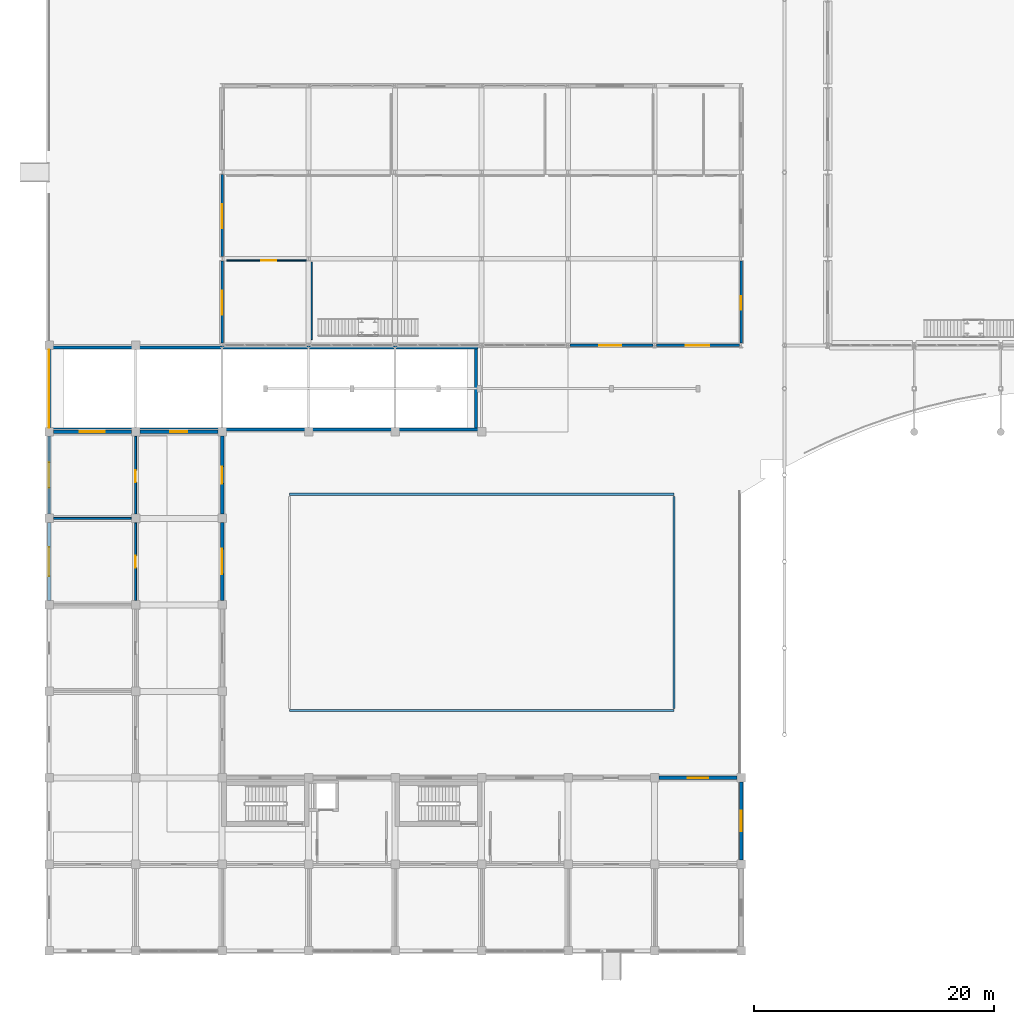
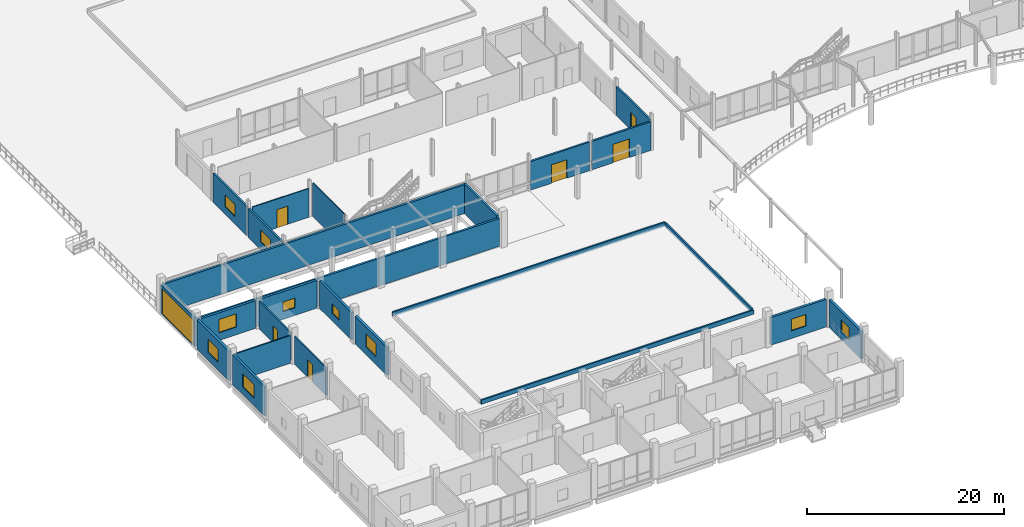
# One storey, part 112 of 139: 25 walls, 10 windows, 7 doors, 17 openings.
"""IFC4 building model written with IfcOpenShell, lengths in metres."""

import ifcopenshell
import ifcopenshell.guid

model = None  # the IFC model being written
_history = None  # IfcOwnerHistory: only IFC2X3 demands one
_inside = {}  # id of a spatial element -> (the spatial element, [elements in it])
_under = {}  # id of a project, library or spatial element -> (it, [spatial elements below it])
_declared = {}  # id of a project -> (the project, [libraries it declares])
_typed = {}  # id of a type object -> (the type object, [elements of that type])
_made_of = {}  # id of a material, layer set ... -> (it, [elements and type objects made of it])


def new_model(schema):
    """Start an empty IFC model of exactly this schema.

    Asked for "IFC4X3", IfcOpenShell would pick the latest addendum, in which some entities
    have other attributes; the version numbers below select the first issue.
    IFC2X3 requires an IfcOwnerHistory on every rooted entity: one is made here for all.
    """
    global model, _history
    if schema == "IFC4X3":
        model = ifcopenshell.file(schema_version=(4, 3, 0, 0))
    else:
        model = ifcopenshell.file(schema=schema)
    _inside.clear()
    _under.clear()
    _declared.clear()
    _typed.clear()
    _made_of.clear()
    _history = None
    if model.schema == "IFC2X3":
        org = make("IfcOrganization", Name="unknown")
        user = make(
            "IfcPersonAndOrganization",
            ThePerson=make("IfcPerson", FamilyName="unknown"),
            TheOrganization=org,
        )
        app = make(
            "IfcApplication",
            ApplicationDeveloper=org,
            Version="unknown",
            ApplicationFullName="unknown",
            ApplicationIdentifier="unknown",
        )
        _history = make(
            "IfcOwnerHistory",
            OwningUser=user,
            OwningApplication=app,
            ChangeAction="ADDED",
            CreationDate=0,
        )
    return model


def make(cls, **values):
    """One entity of the class cls with the attributes given. An attribute that is None is left unset."""
    return model.create_entity(
        cls, **{name: value for name, value in values.items() if value is not None}
    )


def rooted(cls, **values):
    """An entity with a GlobalId (a new one), such as an element, a storey or a relation."""
    return make(cls, GlobalId=ifcopenshell.guid.new(), OwnerHistory=_history, **values)


def si_unit(unit_type, name, prefix=None):
    """IfcSIUnit, for example si_unit("LENGTHUNIT", "METRE", prefix="MILLI")."""
    return make("IfcSIUnit", UnitType=unit_type, Prefix=prefix, Name=name)


def assignment(units):
    """IfcUnitAssignment: the units of a project."""
    return None if units is None else make("IfcUnitAssignment", Units=units)


def point(xyz):
    """IfcCartesianPoint."""
    return None if xyz is None else make("IfcCartesianPoint", Coordinates=xyz)


def direction(xyz):
    """IfcDirection."""
    return None if xyz is None else make("IfcDirection", DirectionRatios=xyz)


def frame(location, z_axis=None, x_axis=None):
    """IfcAxis2Placement3D, a coordinate frame: its origin and axes. An axis left out is left unset."""
    return make(
        "IfcAxis2Placement3D",
        Location=point(location),
        Axis=direction(z_axis),
        RefDirection=direction(x_axis),
    )


def frame_2d(location, x_axis=None):
    """IfcAxis2Placement2D, a coordinate frame in the plane: its origin and x axis."""
    return make(
        "IfcAxis2Placement2D", Location=point(location), RefDirection=direction(x_axis)
    )


def origin():
    """The frame at (0, 0, 0) with its axes left unset."""
    return frame((0.0, 0.0, 0.0))


def place(relative_to, where):
    """IfcLocalPlacement: puts the frame where relative to a parent placement (None: the world)."""
    return make(
        "IfcLocalPlacement", PlacementRelTo=relative_to, RelativePlacement=where
    )


def context(
    kind, dimensions, precision=None, world=None, true_north=None, identifier=None
):
    """IfcGeometricRepresentationContext, for example the 3D "Model" context."""
    return make(
        "IfcGeometricRepresentationContext",
        ContextIdentifier=identifier,
        ContextType=kind,
        CoordinateSpaceDimension=dimensions,
        Precision=precision,
        WorldCoordinateSystem=world,
        TrueNorth=true_north,
    )


def subcontext(parent, identifier, kind, view, scale=None):
    """IfcGeometricRepresentationSubContext, for example "Body" below "Model"."""
    return make(
        "IfcGeometricRepresentationSubContext",
        ContextIdentifier=identifier,
        ContextType=kind,
        ParentContext=parent,
        TargetScale=scale,
        TargetView=view,
    )


def project(units=None, contexts=None):
    """IfcProject with its units and contexts."""
    return rooted(
        "IfcProject",
        Name="project",
        RepresentationContexts=contexts,
        UnitsInContext=assignment(units),
    )


def spatial(cls, under=None, at=None, **own):
    """A site, building, storey or space (cls), placed at a placement, below another one or the project."""
    s = rooted(cls, ObjectPlacement=at, **own)
    if under is not None:
        _under.setdefault(under.id(), (under, []))[1].append(s)
    return s


def profile(cls, at=None, kind="AREA", **sizes):
    """A parametric profile (cls). Its sizes go by their IFC names, for example OverallWidth=200.0."""
    return make(cls, ProfileType=kind, Position=at, **sizes)


def rectangle(**sizes):
    """IfcRectangleProfileDef."""
    return profile("IfcRectangleProfileDef", **sizes)


def extrude(swept, where, along, depth):
    """IfcExtrudedAreaSolid: the profile swept, set in the frame where, extruded along a direction by depth."""
    return make(
        "IfcExtrudedAreaSolid",
        SweptArea=swept,
        Position=where,
        ExtrudedDirection=direction(along),
        Depth=depth,
    )


def shape(context_of_items, identifier, shape_type, items):
    """IfcShapeRepresentation: the items that make up one representation, for example the "Body"."""
    return make(
        "IfcShapeRepresentation",
        ContextOfItems=context_of_items,
        RepresentationIdentifier=identifier,
        RepresentationType=shape_type,
        Items=items,
    )


def material(Name=None, Category=None):
    """IfcMaterial."""
    return make("IfcMaterial", Name=Name, Category=Category)


def layer(
    of_material, thickness, ventilated=None, Name=None, Category=None, Priority=None
):
    """IfcMaterialLayer: one layer of a wall or slab, of a material (None: an air gap)."""
    return make(
        "IfcMaterialLayer",
        Material=of_material,
        LayerThickness=thickness,
        IsVentilated=ventilated,
        Name=Name,
        Category=Category,
        Priority=Priority,
    )


def layer_set(layers, Name=None):
    """IfcMaterialLayerSet."""
    return make("IfcMaterialLayerSet", MaterialLayers=layers, LayerSetName=Name)


def made_of(thing, what):
    """Note that an element or type object is made of a material, layer set ...; save() writes the relation."""
    if what is not None:
        _made_of.setdefault(what.id(), (what, []))[1].append(thing)
    return thing


def type_object(cls, material=None, **own):
    """A type object (cls), such as IfcWallType, which elements share."""
    return made_of(rooted(cls, **own), material)


def element(
    cls,
    number,
    at=None,
    inside=None,
    cuts=None,
    type_object=None,
    material=None,
    context=None,
    identifier="Body",
    shape_type=None,
    held_by="IfcProductDefinitionShape",
    body=None,
    shapes=None,
    **own,
):
    """One element of the class cls, such as IfcWall. Its Tag is "e" and its number.

    at: its placement. inside: the storey or other place that contains it. cuts: it is an
    opening in that element (IfcRelVoidsElement). A single representation is given by context,
    identifier, shape_type and body (its items); several are given by shapes. held_by: the class
    of the entity that holds the representations. save() writes the other relations.
    """
    e = rooted(cls, Tag="e%d" % number, ObjectPlacement=at, **own)
    if body is not None:
        shapes = [shape(context, identifier, shape_type, body)]
    if shapes is not None:
        e.Representation = make(held_by, Representations=shapes)
    if inside is not None:
        _inside.setdefault(inside.id(), (inside, []))[1].append(e)
    if cuts is not None:
        rooted(
            "IfcRelVoidsElement", RelatingBuildingElement=cuts, RelatedOpeningElement=e
        )
    if type_object is not None:
        _typed.setdefault(type_object.id(), (type_object, []))[1].append(e)
    return made_of(e, material)


def fill(opening, filler):
    """IfcRelFillsElement: the door or window that sits in an opening."""
    return rooted(
        "IfcRelFillsElement",
        RelatingOpeningElement=opening,
        RelatedBuildingElement=filler,
    )


def aggregate(whole, parts):
    """IfcRelAggregates: a whole, such as a stair, and the parts it consists of."""
    return rooted("IfcRelAggregates", RelatingObject=whole, RelatedObjects=parts)


def save(model, path):
    """Write the relations noted so far, then the file.

    IfcRelAggregates (storeys below a building ...), IfcRelContainedInSpatialStructure (elements
    in a storey), IfcRelDefinesByType, IfcRelAssociatesMaterial and IfcRelDeclares: one each for
    every whole, place, type object, material and project.
    """
    for whole, parts in _under.values():
        aggregate(whole, parts)
    for where, things in _inside.values():
        rooted(
            "IfcRelContainedInSpatialStructure",
            RelatedElements=things,
            RelatingStructure=where,
        )
    for kind, things in _typed.values():
        rooted("IfcRelDefinesByType", RelatedObjects=things, RelatingType=kind)
    for what, things in _made_of.values():
        rooted("IfcRelAssociatesMaterial", RelatedObjects=things, RelatingMaterial=what)
    for by, libraries in _declared.values():
        rooted("IfcRelDeclares", RelatingContext=by, RelatedDefinitions=libraries)
    model.write(path)


model = new_model("IFC4")

# Units and contexts
model_context = context("Model", 3, precision=1e-05, world=origin(), true_north=direction((0.0, 1.0)))
body_context = subcontext(model_context, "Body", "Model", "MODEL_VIEW")
ifc_project = project(units=[si_unit("LENGTHUNIT", "METRE"), si_unit("AREAUNIT", "SQUARE_METRE"), si_unit("VOLUMEUNIT", "CUBIC_METRE"), si_unit("PLANEANGLEUNIT", "RADIAN"), si_unit("MASSUNIT", "GRAM", prefix="KILO")], contexts=[model_context])

# Site, building, storey
site_placement = place(None, origin())
site = spatial("IfcSite", under=ifc_project, at=site_placement, CompositionType="ELEMENT")
building_placement = place(site_placement, origin())
building = spatial("IfcBuilding", under=site, at=building_placement, Name="Suanplinth Sawtooth Commons", CompositionType="ELEMENT")
storey_placement = place(building_placement, origin())
storey = spatial("IfcBuildingStorey", under=building, at=storey_placement, Name="L00", CompositionType="ELEMENT", Elevation=0.0)

# Wall, opening, door
ifc_material_1 = material(Name="Precast concrete C40/50", Category="concrete")
ifc_layer_1 = layer(ifc_material_1, 0.280029296875, Name="Insulated precast architectural facade wall 280mm")
ifc_layer_set_1 = layer_set([ifc_layer_1], Name="Precast concrete C40/50")
wall_type_1 = type_object("IfcWallType", Name="W-EX01", PredefinedType="ELEMENTEDWALL", material=ifc_layer_set_1)
wall_1_placement = place(storey_placement, frame((0.0, 43.35009765625, 0.0), z_axis=(0.0, 0.0, 1.0), x_axis=(0.0, 1.0, 0.0)))
wall_1 = element("IfcWall", 1, at=wall_1_placement, inside=storey, type_object=wall_type_1, Name="Car-Park Ramp West Portal Wall", PredefinedType="ELEMENTEDWALL", context=body_context, shape_type="SweptSolid", body=[
    extrude(rectangle(XDim=6.89990234375, YDim=0.280029296875, at=frame_2d((3.449951171875, 0.0))), origin(), (0.0, 0.0, 1.0), 3.5849609375),
])
opening_1_placement = place(wall_1_placement, frame((0.199951171875, 0.0, 0.0)))
opening_1 = element("IfcOpeningElement", 2, at=opening_1_placement, cuts=wall_1, Name="Opening G0003", PredefinedType="OPENING", context=body_context, shape_type="SweptSolid", body=[
    extrude(rectangle(XDim=6.5, YDim=3.199951171875, at=frame_2d((3.25, 1.60009765625))), frame((0.0, 0.15478515625, 0.0), z_axis=(0.0, -1.0, 0.0), x_axis=(1.0, 0.0, 0.0)), (0.0, 0.0, 1.0), 0.309814453125),
])
ifc_material_2 = material(Name="Perforated galvanized steel slats", Category="steel")
door_type_1 = type_object("IfcDoorType", Name="VG-01", OperationType="ROLLINGUP", PredefinedType="GATE", material=ifc_material_2)
door_1_placement = place(opening_1_placement, frame((6.5, 0.0, 0.0), z_axis=(0.0, 0.0, 1.0), x_axis=(-1.0, 0.0, 0.0)))
door_1 = element("IfcDoor", 3, at=door_1_placement, inside=storey, type_object=door_type_1, Name="Basement Car-Park Roller Gate", OperationType="ROLLINGUP", OverallHeight=3.199951171875, OverallWidth=6.5, PredefinedType="GATE", context=body_context, shape_type="SweptSolid", body=[
    extrude(rectangle(XDim=6.5, YDim=3.199951171875, at=frame_2d((3.25, 1.60009765625))), frame((0.0, 0.02490234375, 0.0), z_axis=(0.0, -1.0, 0.0), x_axis=(1.0, 0.0, 0.0)), (0.0, 0.0, 1.0), 0.050048828125),
])
fill(opening_1, door_1)

# Wall, opening, window
wall_2_placement = place(storey_placement, frame((0.0, 29.14990234375, 0.0), z_axis=(0.0, 0.0, 1.0), x_axis=(0.0, 1.0, 0.0)))
wall_2 = element("IfcWall", 4, at=wall_2_placement, inside=storey, type_object=wall_type_1, Name="Facade Wall W-L00-D-W-0-4", PredefinedType="ELEMENTEDWALL", context=body_context, shape_type="SweptSolid", body=[
    extrude(rectangle(XDim=6.5, YDim=0.280029296875, at=frame_2d((3.25, 0.0))), origin(), (0.0, 0.0, 1.0), 3.6650390625),
])
opening_2_placement = place(wall_2_placement, frame((2.050048828125, 0.0, 0.949951171875)))
opening_2 = element("IfcOpeningElement", 5, at=opening_2_placement, cuts=wall_2, Name="Opening W0150", PredefinedType="OPENING", context=body_context, shape_type="SweptSolid", body=[
    extrude(rectangle(XDim=2.39990234375, YDim=1.64990234375, at=frame_2d((1.199951171875, 0.824951171875))), frame((0.0, 0.15478515625, 0.0), z_axis=(0.0, -1.0, 0.0), x_axis=(1.0, 0.0, 0.0)), (0.0, 0.0, 1.0), 0.309814453125),
])
ifc_material_3 = material(Name="Thermally broken aluminium and low-E double glazing", Category="aluminium")
window_type_1 = type_object("IfcWindowType", Name="WN-05", PartitioningType="TRIPLE_PANEL_VERTICAL", PredefinedType="WINDOW", material=ifc_material_3)
window_1_placement = place(opening_2_placement, origin())
window_1 = element("IfcWindow", 6, at=window_1_placement, inside=storey, type_object=window_type_1, Name="Window L00-D-W-0-4", OverallHeight=1.64990234375, OverallWidth=2.39990234375, PartitioningType="TRIPLE_PANEL_VERTICAL", PredefinedType="WINDOW", context=body_context, shape_type="SweptSolid", body=[
    extrude(rectangle(XDim=2.39990234375, YDim=1.64990234375, at=frame_2d((1.199951171875, 0.824951171875))), frame((0.0, 0.030029296875, 0.0), z_axis=(0.0, -1.0, 0.0), x_axis=(1.0, 0.0, 0.0)), (0.0, 0.0, 1.0), 0.06005859375),
])
fill(opening_2, window_1)

wall_3_placement = place(storey_placement, frame((0.35009765625, 43.199951171875, 0.0), z_axis=(0.0, 0.0, 1.0), x_axis=(1.0, 0.0, 0.0)))
wall_3 = element("IfcWall", 7, at=wall_3_placement, inside=storey, type_object=wall_type_1, Name="Facade Wall W-L00-D-N-0-5", PredefinedType="ELEMENTEDWALL", context=body_context, shape_type="SweptSolid", body=[
    extrude(rectangle(XDim=6.5, YDim=0.280029296875, at=frame_2d((3.25, 0.0))), origin(), (0.0, 0.0, 1.0), 3.43505859375),
])
opening_3_placement = place(wall_3_placement, frame((2.199951171875, 0.0, 0.949951171875)))
opening_3 = element("IfcOpeningElement", 8, at=opening_3_placement, cuts=wall_3, Name="Opening W0151", PredefinedType="OPENING", context=body_context, shape_type="SweptSolid", body=[
    extrude(rectangle(XDim=2.10009765625, YDim=1.64990234375, at=frame_2d((1.050048828125, 0.824951171875))), frame((0.0, 0.15478515625, 0.0), z_axis=(0.0, -1.0, 0.0), x_axis=(1.0, 0.0, 0.0)), (0.0, 0.0, 1.0), 0.309814453125),
])
window_type_2 = type_object("IfcWindowType", Name="WN-06", PartitioningType="DOUBLE_PANEL_VERTICAL", PredefinedType="WINDOW", material=ifc_material_3)
window_2_placement = place(opening_3_placement, origin())
window_2 = element("IfcWindow", 9, at=window_2_placement, inside=storey, type_object=window_type_2, Name="Window L00-D-N-0-5", OverallHeight=1.64990234375, OverallWidth=2.10009765625, PartitioningType="DOUBLE_PANEL_VERTICAL", PredefinedType="WINDOW", context=body_context, shape_type="SweptSolid", body=[
    extrude(rectangle(XDim=2.10009765625, YDim=1.64990234375, at=frame_2d((1.050048828125, 0.824951171875))), frame((0.0, 0.030029296875, 0.0), z_axis=(0.0, -1.0, 0.0), x_axis=(1.0, 0.0, 0.0)), (0.0, 0.0, 1.0), 0.06005859375),
])
fill(opening_3, window_2)

wall_4_placement = place(storey_placement, frame((0.0, 36.35009765625, 0.0), z_axis=(0.0, 0.0, 1.0), x_axis=(0.0, 1.0, 0.0)))
wall_4 = element("IfcWall", 10, at=wall_4_placement, inside=storey, type_object=wall_type_1, Name="Facade Wall W-L00-D-W-0-5", PredefinedType="ELEMENTEDWALL", context=body_context, shape_type="SweptSolid", body=[
    extrude(rectangle(XDim=6.5, YDim=0.280029296875, at=frame_2d((3.25, 0.0))), origin(), (0.0, 0.0, 1.0), 3.6650390625),
])
opening_4_placement = place(wall_4_placement, frame((2.199951171875, 0.0, 0.949951171875)))
opening_4 = element("IfcOpeningElement", 11, at=opening_4_placement, cuts=wall_4, Name="Opening W0152", PredefinedType="OPENING", context=body_context, shape_type="SweptSolid", body=[
    extrude(rectangle(XDim=2.10009765625, YDim=1.64990234375, at=frame_2d((1.050048828125, 0.824951171875))), frame((0.0, 0.15478515625, 0.0), z_axis=(0.0, -1.0, 0.0), x_axis=(1.0, 0.0, 0.0)), (0.0, 0.0, 1.0), 0.309814453125),
])
window_3_placement = place(opening_4_placement, origin())
window_3 = element("IfcWindow", 12, at=window_3_placement, inside=storey, type_object=window_type_2, Name="Window L00-D-W-0-5", OverallHeight=1.64990234375, OverallWidth=2.10009765625, PartitioningType="DOUBLE_PANEL_VERTICAL", PredefinedType="WINDOW", context=body_context, shape_type="SweptSolid", body=[
    extrude(rectangle(XDim=2.10009765625, YDim=1.64990234375, at=frame_2d((1.050048828125, 0.824951171875))), frame((0.0, 0.030029296875, 0.0), z_axis=(0.0, -1.0, 0.0), x_axis=(1.0, 0.0, 0.0)), (0.0, 0.0, 1.0), 0.06005859375),
])
fill(opening_4, window_3)

wall_5_placement = place(storey_placement, frame((14.39990234375, 29.14990234375, 0.0), z_axis=(0.0, 0.0, 1.0), x_axis=(0.0, 1.0, 0.0)))
wall_5 = element("IfcWall", 13, at=wall_5_placement, inside=storey, type_object=wall_type_1, Name="Facade Wall W-L00-D-E-1-4", PredefinedType="ELEMENTEDWALL", context=body_context, shape_type="SweptSolid", body=[
    extrude(rectangle(XDim=6.5, YDim=0.280029296875, at=frame_2d((3.25, 0.0))), origin(), (0.0, 0.0, 1.0), 3.43505859375),
])
opening_5_placement = place(wall_5_placement, frame((2.199951171875, 0.0, 0.949951171875)))
opening_5 = element("IfcOpeningElement", 14, at=opening_5_placement, cuts=wall_5, Name="Opening W0155", PredefinedType="OPENING", context=body_context, shape_type="SweptSolid", body=[
    extrude(rectangle(XDim=2.10009765625, YDim=1.64990234375, at=frame_2d((1.050048828125, 0.824951171875))), frame((0.0, 0.15478515625, 0.0), z_axis=(0.0, -1.0, 0.0), x_axis=(1.0, 0.0, 0.0)), (0.0, 0.0, 1.0), 0.309814453125),
])
window_4_placement = place(opening_5_placement, origin())
window_4 = element("IfcWindow", 15, at=window_4_placement, inside=storey, type_object=window_type_2, Name="Window L00-D-E-1-4", OverallHeight=1.64990234375, OverallWidth=2.10009765625, PartitioningType="DOUBLE_PANEL_VERTICAL", PredefinedType="WINDOW", context=body_context, shape_type="SweptSolid", body=[
    extrude(rectangle(XDim=2.10009765625, YDim=1.64990234375, at=frame_2d((1.050048828125, 0.824951171875))), frame((0.0, 0.030029296875, 0.0), z_axis=(0.0, -1.0, 0.0), x_axis=(1.0, 0.0, 0.0)), (0.0, 0.0, 1.0), 0.06005859375),
])
fill(opening_5, window_4)

wall_6_placement = place(storey_placement, frame((7.550048828125, 43.199951171875, 0.0), z_axis=(0.0, 0.0, 1.0), x_axis=(1.0, 0.0, 0.0)))
wall_6 = element("IfcWall", 16, at=wall_6_placement, inside=storey, type_object=wall_type_1, Name="Facade Wall W-L00-D-N-1-5", PredefinedType="ELEMENTEDWALL", context=body_context, shape_type="SweptSolid", body=[
    extrude(rectangle(XDim=6.5, YDim=0.280029296875, at=frame_2d((3.25, 0.0))), origin(), (0.0, 0.0, 1.0), 3.43505859375),
])
opening_6_placement = place(wall_6_placement, frame((2.550048828125, 0.0, 0.949951171875)))
opening_6 = element("IfcOpeningElement", 17, at=opening_6_placement, cuts=wall_6, Name="Opening W0156", PredefinedType="OPENING", context=body_context, shape_type="SweptSolid", body=[
    extrude(rectangle(XDim=1.39990234375, YDim=1.199951171875, at=frame_2d((0.699951171875, 0.60009765625))), frame((0.0, 0.15478515625, 0.0), z_axis=(0.0, -1.0, 0.0), x_axis=(1.0, 0.0, 0.0)), (0.0, 0.0, 1.0), 0.309814453125),
])
window_type_3 = type_object("IfcWindowType", Name="WN-10", PartitioningType="DOUBLE_PANEL_HORIZONTAL", PredefinedType="WINDOW", material=ifc_material_3)
window_5_placement = place(opening_6_placement, origin())
window_5 = element("IfcWindow", 18, at=window_5_placement, inside=storey, type_object=window_type_3, Name="Window L00-D-N-1-5", OverallHeight=1.199951171875, OverallWidth=1.39990234375, PartitioningType="DOUBLE_PANEL_HORIZONTAL", PredefinedType="WINDOW", context=body_context, shape_type="SweptSolid", body=[
    extrude(rectangle(XDim=1.39990234375, YDim=1.199951171875, at=frame_2d((0.699951171875, 0.60009765625))), frame((0.0, 0.030029296875, 0.0), z_axis=(0.0, -1.0, 0.0), x_axis=(1.0, 0.0, 0.0)), (0.0, 0.0, 1.0), 0.06005859375),
])
fill(opening_6, window_5)

wall_7_placement = place(storey_placement, frame((14.39990234375, 36.35009765625, 0.0), z_axis=(0.0, 0.0, 1.0), x_axis=(0.0, 1.0, 0.0)))
wall_7 = element("IfcWall", 19, at=wall_7_placement, inside=storey, type_object=wall_type_1, Name="Facade Wall W-L00-D-E-1-5", PredefinedType="ELEMENTEDWALL", context=body_context, shape_type="SweptSolid", body=[
    extrude(rectangle(XDim=6.5, YDim=0.280029296875, at=frame_2d((3.25, 0.0))), origin(), (0.0, 0.0, 1.0), 3.43505859375),
])
opening_7_placement = place(wall_7_placement, frame((2.550048828125, 0.0, 0.949951171875)))
opening_7 = element("IfcOpeningElement", 20, at=opening_7_placement, cuts=wall_7, Name="Opening W0157", PredefinedType="OPENING", context=body_context, shape_type="SweptSolid", body=[
    extrude(rectangle(XDim=1.39990234375, YDim=1.199951171875, at=frame_2d((0.699951171875, 0.60009765625))), frame((0.0, 0.15478515625, 0.0), z_axis=(0.0, -1.0, 0.0), x_axis=(1.0, 0.0, 0.0)), (0.0, 0.0, 1.0), 0.309814453125),
])
window_6_placement = place(opening_7_placement, origin())
window_6 = element("IfcWindow", 21, at=window_6_placement, inside=storey, type_object=window_type_3, Name="Window L00-D-E-1-5", OverallHeight=1.199951171875, OverallWidth=1.39990234375, PartitioningType="DOUBLE_PANEL_HORIZONTAL", PredefinedType="WINDOW", context=body_context, shape_type="SweptSolid", body=[
    extrude(rectangle(XDim=1.39990234375, YDim=1.199951171875, at=frame_2d((0.699951171875, 0.60009765625))), frame((0.0, 0.030029296875, 0.0), z_axis=(0.0, -1.0, 0.0), x_axis=(1.0, 0.0, 0.0)), (0.0, 0.0, 1.0), 0.06005859375),
])
fill(opening_7, window_6)

wall_8_placement = place(storey_placement, frame((50.75, 14.39990234375, 0.0), z_axis=(0.0, 0.0, 1.0), x_axis=(1.0, 0.0, 0.0)))
wall_8 = element("IfcWall", 22, at=wall_8_placement, inside=storey, type_object=wall_type_1, Name="Facade Wall W-L00-D-N-7-1", PredefinedType="ELEMENTEDWALL", context=body_context, shape_type="SweptSolid", body=[
    extrude(rectangle(XDim=6.5, YDim=0.280029296875, at=frame_2d((3.25, 0.0))), origin(), (0.0, 0.0, 1.0), 3.43505859375),
])
opening_8_placement = place(wall_8_placement, frame((2.39990234375, 0.0, 0.949951171875)))
opening_8 = element("IfcOpeningElement", 23, at=opening_8_placement, cuts=wall_8, Name="Opening W0166", PredefinedType="OPENING", context=body_context, shape_type="SweptSolid", body=[
    extrude(rectangle(XDim=1.699951171875, YDim=1.449951171875, at=frame_2d((0.85009765625, 0.72509765625))), frame((0.0, 0.15478515625, 0.0), z_axis=(0.0, -1.0, 0.0), x_axis=(1.0, 0.0, 0.0)), (0.0, 0.0, 1.0), 0.309814453125),
])
window_type_4 = type_object("IfcWindowType", Name="WN-15", PartitioningType="DOUBLE_PANEL_VERTICAL", PredefinedType="WINDOW", material=ifc_material_3)
window_7_placement = place(opening_8_placement, origin())
window_7 = element("IfcWindow", 24, at=window_7_placement, inside=storey, type_object=window_type_4, Name="Window L00-D-N-7-1", OverallHeight=1.449951171875, OverallWidth=1.699951171875, PartitioningType="DOUBLE_PANEL_VERTICAL", PredefinedType="WINDOW", context=body_context, shape_type="SweptSolid", body=[
    extrude(rectangle(XDim=1.699951171875, YDim=1.449951171875, at=frame_2d((0.85009765625, 0.72509765625))), frame((0.0, 0.030029296875, 0.0), z_axis=(0.0, -1.0, 0.0), x_axis=(1.0, 0.0, 0.0)), (0.0, 0.0, 1.0), 0.06005859375),
])
fill(opening_8, window_7)

wall_9_placement = place(storey_placement, frame((57.60009765625, 7.550048828125, 0.0), z_axis=(0.0, 0.0, 1.0), x_axis=(0.0, 1.0, 0.0)))
wall_9 = element("IfcWall", 25, at=wall_9_placement, inside=storey, type_object=wall_type_1, Name="Facade Wall W-L00-D-E-7-1", PredefinedType="ELEMENTEDWALL", context=body_context, shape_type="SweptSolid", body=[
    extrude(rectangle(XDim=6.5, YDim=0.280029296875, at=frame_2d((3.25, 0.0))), origin(), (0.0, 0.0, 1.0), 3.43505859375),
])
opening_9_placement = place(wall_9_placement, frame((2.39990234375, 0.0, 0.949951171875)))
opening_9 = element("IfcOpeningElement", 26, at=opening_9_placement, cuts=wall_9, Name="Opening W0167", PredefinedType="OPENING", context=body_context, shape_type="SweptSolid", body=[
    extrude(rectangle(XDim=1.699951171875, YDim=1.449951171875, at=frame_2d((0.85009765625, 0.72509765625))), frame((0.0, 0.15478515625, 0.0), z_axis=(0.0, -1.0, 0.0), x_axis=(1.0, 0.0, 0.0)), (0.0, 0.0, 1.0), 0.309814453125),
])
window_8_placement = place(opening_9_placement, origin())
window_8 = element("IfcWindow", 27, at=window_8_placement, inside=storey, type_object=window_type_4, Name="Window L00-D-E-7-1", OverallHeight=1.449951171875, OverallWidth=1.699951171875, PartitioningType="DOUBLE_PANEL_VERTICAL", PredefinedType="WINDOW", context=body_context, shape_type="SweptSolid", body=[
    extrude(rectangle(XDim=1.699951171875, YDim=1.449951171875, at=frame_2d((0.85009765625, 0.72509765625))), frame((0.0, 0.030029296875, 0.0), z_axis=(0.0, -1.0, 0.0), x_axis=(1.0, 0.0, 0.0)), (0.0, 0.0, 1.0), 0.06005859375),
])
fill(opening_9, window_8)

# Walls
ifc_material_4 = material(Name="Autoclaved aerated concrete masonry", Category="masonry")
ifc_layer_2 = layer(ifc_material_4, 0.25, Name="Rendered AAC tropical cavity wall 250mm")
ifc_layer_set_2 = layer_set([ifc_layer_2], Name="Autoclaved aerated concrete masonry")
wall_type_2 = type_object("IfcWallType", Name="W-EX04", PredefinedType="SOLIDWALL", material=ifc_layer_set_2)
wall_10_placement = place(storey_placement, frame((0.139892578125, 43.39990234375, 0.0), z_axis=(0.0, 0.0, 1.0), x_axis=(1.0, 0.0, 0.0)))
element("IfcWall", 28, at=wall_10_placement, inside=storey, type_object=wall_type_2, Name="Vehicle Ramp Pavilion South Enclosure Wall", PredefinedType="SOLIDWALL", context=body_context, shape_type="SweptSolid", body=[
    extrude(rectangle(XDim=35.5400390625, YDim=0.25, at=frame_2d((17.77001953125, 0.0))), origin(), (0.0, 0.0, 1.0), 3.43505859375),
])
wall_11_placement = place(storey_placement, frame((0.139892578125, 50.199951171875, 0.0), z_axis=(0.0, 0.0, 1.0), x_axis=(1.0, 0.0, 0.0)))
element("IfcWall", 29, at=wall_11_placement, inside=storey, type_object=wall_type_2, Name="Vehicle Ramp Pavilion North Enclosure Wall", PredefinedType="SOLIDWALL", context=body_context, shape_type="SweptSolid", body=[
    extrude(rectangle(XDim=35.5400390625, YDim=0.25, at=frame_2d((17.77001953125, 0.0))), origin(), (0.0, 0.0, 1.0), 3.5849609375),
])
wall_12_placement = place(storey_placement, frame((35.550048828125, 43.52001953125, 0.0), z_axis=(0.0, 0.0, 1.0), x_axis=(0.0, 1.0, 0.0)))
element("IfcWall", 30, at=wall_12_placement, inside=storey, type_object=wall_type_2, Name="Vehicle Ramp Pavilion East Headwall", PredefinedType="SOLIDWALL", context=body_context, shape_type="SweptSolid", body=[
    extrude(rectangle(XDim=6.56005859375, YDim=0.25, at=frame_2d((3.280029296875, 0.0))), origin(), (0.0, 0.0, 1.0), 3.699951171875),
])

# Wall, opening, door
ifc_layer_3 = layer(ifc_material_1, 0.219970703125, Name="Civic pavilion insulated facade wall 220mm")
ifc_layer_set_3 = layer_set([ifc_layer_3], Name="Precast concrete C40/50")
wall_type_3 = type_object("IfcWallType", Name="W-EX05", PredefinedType="ELEMENTEDWALL", material=ifc_layer_set_3)
wall_13_placement = place(storey_placement, frame((43.35009765625, 50.39990234375, 0.0), z_axis=(0.0, 0.0, 1.0), x_axis=(1.0, 0.0, 0.0)))
wall_13 = element("IfcWall", 31, at=wall_13_placement, inside=storey, type_object=wall_type_3, Name="Market South Shopfront Wall 6", PredefinedType="ELEMENTEDWALL", context=body_context, shape_type="SweptSolid", body=[
    extrude(rectangle(XDim=6.89990234375, YDim=0.219970703125, at=frame_2d((3.449951171875, 0.0))), origin(), (0.0, 0.0, 1.0), 3.550048828125),
])
opening_10_placement = place(wall_13_placement, frame((2.449951171875, 0.0, 0.0)))
opening_10 = element("IfcOpeningElement", 32, at=opening_10_placement, cuts=wall_13, Name="Opening ED0014", PredefinedType="OPENING", context=body_context, shape_type="SweptSolid", body=[
    extrude(rectangle(XDim=1.800048828125, YDim=2.300048828125, at=frame_2d((0.89990234375, 1.14990234375))), frame((0.0, 0.125, 0.0), z_axis=(0.0, -1.0, 0.0), x_axis=(1.0, 0.0, 0.0)), (0.0, 0.0, 1.0), 0.249755859375),
])
ifc_material_5 = material(Name="Anodized aluminium and safety glass", Category="aluminium")
door_type_2 = type_object("IfcDoorType", Name="ED-05", OperationType="DOUBLE_DOOR_SINGLE_SWING", PredefinedType="DOOR", material=ifc_material_5)
door_2_placement = place(opening_10_placement, frame((1.800048828125, 0.0, 0.0), z_axis=(0.0, 0.0, 1.0), x_axis=(-1.0, 0.0, 0.0)))
door_2 = element("IfcDoor", 33, at=door_2_placement, inside=storey, type_object=door_type_2, Name="Market Hall Courtyard Entrance 6", OperationType="DOUBLE_DOOR_SINGLE_SWING", OverallHeight=2.300048828125, OverallWidth=1.800048828125, PredefinedType="DOOR", context=body_context, shape_type="SweptSolid", body=[
    extrude(rectangle(XDim=1.800048828125, YDim=2.300048828125, at=frame_2d((0.89990234375, 1.14990234375))), frame((0.0, 0.02490234375, 0.0), z_axis=(0.0, -1.0, 0.0), x_axis=(1.0, 0.0, 0.0)), (0.0, 0.0, 1.0), 0.050048828125),
])
fill(opening_10, door_2)

wall_14_placement = place(storey_placement, frame((50.550048828125, 50.39990234375, 0.0), z_axis=(0.0, 0.0, 1.0), x_axis=(1.0, 0.0, 0.0)))
wall_14 = element("IfcWall", 34, at=wall_14_placement, inside=storey, type_object=wall_type_3, Name="Market South Shopfront Wall 7", PredefinedType="ELEMENTEDWALL", context=body_context, shape_type="SweptSolid", body=[
    extrude(rectangle(XDim=6.89990234375, YDim=0.219970703125, at=frame_2d((3.449951171875, 0.0))), origin(), (0.0, 0.0, 1.0), 3.550048828125),
])
opening_11_placement = place(wall_14_placement, frame((2.449951171875, 0.0, 0.0)))
opening_11 = element("IfcOpeningElement", 35, at=opening_11_placement, cuts=wall_14, Name="Opening ED0015", PredefinedType="OPENING", context=body_context, shape_type="SweptSolid", body=[
    extrude(rectangle(XDim=1.949951171875, YDim=2.300048828125, at=frame_2d((0.97509765625, 1.14990234375))), frame((0.0, 0.125, 0.0), z_axis=(0.0, -1.0, 0.0), x_axis=(1.0, 0.0, 0.0)), (0.0, 0.0, 1.0), 0.249755859375),
])
ifc_material_6 = material(Name="Anodized aluminium and clear glass", Category="aluminium")
door_type_3 = type_object("IfcDoorType", Name="SD-08", OperationType="DOUBLE_DOOR_SLIDING", PredefinedType="DOOR", material=ifc_material_6)
door_3_placement = place(opening_11_placement, frame((1.949951171875, 0.0, 0.0), z_axis=(0.0, 0.0, 1.0), x_axis=(-1.0, 0.0, 0.0)))
door_3 = element("IfcDoor", 36, at=door_3_placement, inside=storey, type_object=door_type_3, Name="Market Hall Courtyard Entrance 7", OperationType="DOUBLE_DOOR_SLIDING", OverallHeight=2.300048828125, OverallWidth=1.949951171875, PredefinedType="DOOR", context=body_context, shape_type="SweptSolid", body=[
    extrude(rectangle(XDim=1.949951171875, YDim=2.300048828125, at=frame_2d((0.97509765625, 1.14990234375))), frame((0.0, 0.02490234375, 0.0), z_axis=(0.0, -1.0, 0.0), x_axis=(1.0, 0.0, 0.0)), (0.0, 0.0, 1.0), 0.050048828125),
])
fill(opening_11, door_3)

# Wall, opening, window
wall_15_placement = place(storey_placement, frame((14.39990234375, 50.580078125, 0.0), z_axis=(0.0, 0.0, 1.0), x_axis=(0.0, 1.0, 0.0)))
wall_15 = element("IfcWall", 37, at=wall_15_placement, inside=storey, type_object=wall_type_3, Name="Market W Wall L00-7", PredefinedType="ELEMENTEDWALL", context=body_context, shape_type="SweptSolid", body=[
    extrude(rectangle(XDim=6.83984375, YDim=0.219970703125, at=frame_2d((3.419921875, 0.0))), origin(), (0.0, 0.0, 1.0), 3.5849609375),
])
opening_12_placement = place(wall_15_placement, frame((2.35009765625, 0.0, 0.949951171875)))
opening_12 = element("IfcOpeningElement", 38, at=opening_12_placement, cuts=wall_15, Name="Opening W0066", PredefinedType="OPENING", context=body_context, shape_type="SweptSolid", body=[
    extrude(rectangle(XDim=2.0, YDim=1.5, at=frame_2d((1.0, 0.75))), frame((0.0, 0.125, 0.0), z_axis=(0.0, -1.0, 0.0), x_axis=(1.0, 0.0, 0.0)), (0.0, 0.0, 1.0), 0.249755859375),
])
window_type_5 = type_object("IfcWindowType", Name="WN-09", PartitioningType="DOUBLE_PANEL_VERTICAL", PredefinedType="WINDOW", material=ifc_material_3)
window_9_placement = place(opening_12_placement, origin())
window_9 = element("IfcWindow", 39, at=window_9_placement, inside=storey, type_object=window_type_5, Name="Market W Window L00-7", OverallHeight=1.5, OverallWidth=2.0, PartitioningType="DOUBLE_PANEL_VERTICAL", PredefinedType="WINDOW", context=body_context, shape_type="SweptSolid", body=[
    extrude(rectangle(XDim=2.0, YDim=1.5, at=frame_2d((1.0, 0.75))), frame((0.0, 0.030029296875, 0.0), z_axis=(0.0, -1.0, 0.0), x_axis=(1.0, 0.0, 0.0)), (0.0, 0.0, 1.0), 0.06005859375),
])
fill(opening_12, window_9)

# Wall, opening, door
wall_16_placement = place(storey_placement, frame((57.60009765625, 50.580078125, 0.0), z_axis=(0.0, 0.0, 1.0), x_axis=(0.0, 1.0, 0.0)))
wall_16 = element("IfcWall", 40, at=wall_16_placement, inside=storey, type_object=wall_type_3, Name="Market E Wall L00-7", PredefinedType="ELEMENTEDWALL", context=body_context, shape_type="SweptSolid", body=[
    extrude(rectangle(XDim=6.83984375, YDim=0.219970703125, at=frame_2d((3.419921875, 0.0))), origin(), (0.0, 0.0, 1.0), 3.5849609375),
])
opening_13_placement = place(wall_16_placement, frame((2.800048828125, 0.0, 0.0)))
opening_13 = element("IfcOpeningElement", 41, at=opening_13_placement, cuts=wall_16, Name="Opening ED0017", PredefinedType="OPENING", context=body_context, shape_type="SweptSolid", body=[
    extrude(rectangle(XDim=1.10009765625, YDim=2.199951171875, at=frame_2d((0.550048828125, 1.10009765625))), frame((0.0, 0.125, 0.0), z_axis=(0.0, -1.0, 0.0), x_axis=(1.0, 0.0, 0.0)), (0.0, 0.0, 1.0), 0.249755859375),
])
door_type_4 = type_object("IfcDoorType", Name="ED-06", OperationType="NOTDEFINED", PredefinedType="DOOR", material=ifc_material_6)
door_4_placement = place(opening_13_placement, frame((1.10009765625, 0.0, 0.0), z_axis=(0.0, 0.0, 1.0), x_axis=(-1.0, 0.0, 0.0)))
door_4 = element("IfcDoor", 42, at=door_4_placement, inside=storey, type_object=door_type_4, Name="Market East Arcade Shopfront Door 7", OperationType="SINGLE_SWING_LEFT", OverallHeight=2.199951171875, OverallWidth=1.10009765625, PredefinedType="DOOR", context=body_context, shape_type="SweptSolid", body=[
    extrude(rectangle(XDim=1.10009765625, YDim=2.199951171875, at=frame_2d((0.550048828125, 1.10009765625))), frame((0.0, 0.02490234375, 0.0), z_axis=(0.0, -1.0, 0.0), x_axis=(1.0, 0.0, 0.0)), (0.0, 0.0, 1.0), 0.050048828125),
])
fill(opening_13, door_4)

# Wall, opening, window
wall_17_placement = place(storey_placement, frame((14.39990234375, 57.780029296875, 0.0), z_axis=(0.0, 0.0, 1.0), x_axis=(0.0, 1.0, 0.0)))
wall_17 = element("IfcWall", 43, at=wall_17_placement, inside=storey, type_object=wall_type_3, Name="Market W Wall L00-8", PredefinedType="ELEMENTEDWALL", context=body_context, shape_type="SweptSolid", body=[
    extrude(rectangle(XDim=6.840087890625, YDim=0.219970703125, at=frame_2d((3.419921875, 0.0))), origin(), (0.0, 0.0, 1.0), 3.5849609375),
])
opening_14_placement = place(wall_17_placement, frame((2.35009765625, 0.0, 0.949951171875)))
opening_14 = element("IfcOpeningElement", 44, at=opening_14_placement, cuts=wall_17, Name="Opening W0069", PredefinedType="OPENING", context=body_context, shape_type="SweptSolid", body=[
    extrude(rectangle(XDim=2.0, YDim=1.5, at=frame_2d((1.0, 0.75))), frame((0.0, 0.125, 0.0), z_axis=(0.0, -1.0, 0.0), x_axis=(1.0, 0.0, 0.0)), (0.0, 0.0, 1.0), 0.249755859375),
])
window_10_placement = place(opening_14_placement, origin())
window_10 = element("IfcWindow", 45, at=window_10_placement, inside=storey, type_object=window_type_5, Name="Market W Window L00-8", OverallHeight=1.5, OverallWidth=2.0, PartitioningType="DOUBLE_PANEL_VERTICAL", PredefinedType="WINDOW", context=body_context, shape_type="SweptSolid", body=[
    extrude(rectangle(XDim=2.0, YDim=1.5, at=frame_2d((1.0, 0.75))), frame((0.0, 0.030029296875, 0.0), z_axis=(0.0, -1.0, 0.0), x_axis=(1.0, 0.0, 0.0)), (0.0, 0.0, 1.0), 0.06005859375),
])
fill(opening_14, window_10)

# Wall, opening, door
ifc_layer_4 = layer(ifc_material_1, 0.159912109375, Name="Fire-rated corridor and lobby wall 160mm")
ifc_layer_set_4 = layer_set([ifc_layer_4], Name="Precast concrete C40/50")
wall_type_4 = type_object("IfcWallType", Name="W-FW01", PredefinedType="PARTITIONING", material=ifc_layer_set_4)
wall_18_placement = place(storey_placement, frame((7.199951171875, 29.179931640625, 0.0), z_axis=(0.0, 0.0, 1.0), x_axis=(0.0, 1.0, 0.0)))
wall_18 = element("IfcWall", 46, at=wall_18_placement, inside=storey, type_object=wall_type_4, Name="W-D-L00-GROUNDROOM-52-COR", PredefinedType="PARTITIONING", context=body_context, shape_type="SweptSolid", body=[
    extrude(rectangle(XDim=6.440185546875, YDim=0.159912109375, at=frame_2d((3.22021484375, 0.0))), origin(), (0.0, 0.0, 1.0), 3.43505859375),
])
opening_15_placement = place(wall_18_placement, frame((2.719970703125, 0.0, 0.0)))
opening_15 = element("IfcOpeningElement", 47, at=opening_15_placement, cuts=wall_18, Name="Opening FD0522", PredefinedType="OPENING", context=body_context, shape_type="SweptSolid", body=[
    extrude(rectangle(XDim=1.0, YDim=2.14990234375, at=frame_2d((0.5, 1.074951171875))), frame((0.0, 0.0947265625, 0.0), z_axis=(0.0, -1.0, 0.0), x_axis=(1.0, 0.0, 0.0)), (0.0, 0.0, 1.0), 0.189697265625),
])
ifc_material_7 = material(Name="Teak hardwood fire-rated door assembly", Category="wood")
door_type_5 = type_object("IfcDoorType", Name="FD-03", OperationType="NOTDEFINED", PredefinedType="DOOR", material=ifc_material_7)
door_5_placement = place(opening_15_placement, origin())
door_5 = element("IfcDoor", 48, at=door_5_placement, inside=storey, type_object=door_type_5, Name="Wing Unit Entrance Door FD0522", OperationType="SINGLE_SWING_RIGHT", OverallHeight=2.14990234375, OverallWidth=1.0, PredefinedType="DOOR", context=body_context, shape_type="SweptSolid", body=[
    extrude(rectangle(XDim=1.0, YDim=2.14990234375, at=frame_2d((0.5, 1.074951171875))), frame((0.0, 0.02490234375, 0.0), z_axis=(0.0, -1.0, 0.0), x_axis=(1.0, 0.0, 0.0)), (0.0, 0.0, 1.0), 0.050048828125),
])
fill(opening_15, door_5)

wall_19_placement = place(storey_placement, frame((7.199951171875, 36.3798828125, 0.0), z_axis=(0.0, 0.0, 1.0), x_axis=(0.0, 1.0, 0.0)))
wall_19 = element("IfcWall", 49, at=wall_19_placement, inside=storey, type_object=wall_type_4, Name="W-D-L00-GROUNDROOM-53-COR", PredefinedType="PARTITIONING", context=body_context, shape_type="SweptSolid", body=[
    extrude(rectangle(XDim=6.440185546875, YDim=0.159912109375, at=frame_2d((3.22021484375, 0.0))), origin(), (0.0, 0.0, 1.0), 3.43505859375),
])
opening_16_placement = place(wall_19_placement, frame((2.6201171875, 0.0, 0.0)))
opening_16 = element("IfcOpeningElement", 50, at=opening_16_placement, cuts=wall_19, Name="Opening FD0523", PredefinedType="OPENING", context=body_context, shape_type="SweptSolid", body=[
    extrude(rectangle(XDim=1.0, YDim=2.14990234375, at=frame_2d((0.5, 1.074951171875))), frame((0.0, 0.0947265625, 0.0), z_axis=(0.0, -1.0, 0.0), x_axis=(1.0, 0.0, 0.0)), (0.0, 0.0, 1.0), 0.189697265625),
])
door_6_placement = place(opening_16_placement, origin())
door_6 = element("IfcDoor", 51, at=door_6_placement, inside=storey, type_object=door_type_5, Name="Wing Unit Entrance Door FD0523", OperationType="SINGLE_SWING_LEFT", OverallHeight=2.14990234375, OverallWidth=1.0, PredefinedType="DOOR", context=body_context, shape_type="SweptSolid", body=[
    extrude(rectangle(XDim=1.0, YDim=2.14990234375, at=frame_2d((0.5, 1.074951171875))), frame((0.0, 0.02490234375, 0.0), z_axis=(0.0, -1.0, 0.0), x_axis=(1.0, 0.0, 0.0)), (0.0, 0.0, 1.0), 0.050048828125),
])
fill(opening_16, door_6)

# Walls
ifc_layer_5 = layer(ifc_material_1, 0.14990234375, Name="Acoustic precast party demising wall 150mm")
ifc_layer_set_5 = layer_set([ifc_layer_5], Name="Precast concrete C40/50")
wall_type_5 = type_object("IfcWallType", Name="W-FW02", PredefinedType="PARTITIONING", material=ifc_layer_set_5)
wall_20_placement = place(storey_placement, frame((0.3798828125, 36.0, 0.0), z_axis=(0.0, 0.0, 1.0), x_axis=(1.0, 0.0, 0.0)))
element("IfcWall", 52, at=wall_20_placement, inside=storey, type_object=wall_type_5, Name="W-D-L00-GROUNDROOM-52-PTY", PredefinedType="PARTITIONING", context=body_context, shape_type="SweptSolid", body=[
    extrude(rectangle(XDim=6.440185546875, YDim=0.14990234375, at=frame_2d((3.22021484375, 0.0))), origin(), (0.0, 0.0, 1.0), 3.43505859375),
])
ifc_layer_6 = layer(ifc_material_1, 0.179931640625, Name="Terrace & courtyard planter kerb wall 180mm")
ifc_layer_set_6 = layer_set([ifc_layer_6], Name="Precast concrete C40/50")
wall_type_6 = type_object("IfcWallType", Name="W-PR02", PredefinedType="PARAPET", material=ifc_layer_set_6)
for number, where, z_axis, x_axis, name in (
    (53, (20.0, 20.0, 0.0), (0.0, 0.0, 1.0), (1.0, 0.0, 0.0), "South-West Courtyard Monsoon Bioswale Garden Kerb S"),
    (54, (20.0, 38.0, 0.0), (0.0, 0.0, 1.0), (1.0, 0.0, 0.0), "South-West Courtyard Monsoon Bioswale Garden Kerb N"),
):
    element("IfcWall", number, at=place(storey_placement, frame(where, z_axis=z_axis, x_axis=x_axis)), inside=storey, type_object=wall_type_6, Name=name, PredefinedType="PARAPET", context=body_context, shape_type="SweptSolid", body=[
        extrude(rectangle(XDim=32.0, YDim=0.179931640625, at=frame_2d((16.0, 0.0))), origin(), (0.0, 0.0, 1.0), 0.52001953125),
    ])
wall_21_placement = place(storey_placement, frame((52.0, 20.179931640625, 0.0), z_axis=(0.0, 0.0, 1.0), x_axis=(0.0, 1.0, 0.0)))
element("IfcWall", 55, at=wall_21_placement, inside=storey, type_object=wall_type_6, Name="South-West Courtyard Monsoon Bioswale Garden Kerb E", PredefinedType="PARAPET", context=body_context, shape_type="SweptSolid", body=[
    extrude(rectangle(XDim=17.64013671875, YDim=0.179931640625, at=frame_2d((8.820068359375, 0.0))), origin(), (0.0, 0.0, 1.0), 0.52001953125),
])

# Wall, opening, door
ifc_material_8 = material(Name="Gypsum plasterboard on steel stud", Category="steel")
ifc_layer_7 = layer(ifc_material_8, 0.110107421875, Name="Civic classroom and clinic partition 110mm")
ifc_layer_set_7 = layer_set([ifc_layer_7], Name="Gypsum plasterboard on steel stud")
wall_type_7 = type_object("IfcWallType", Name="W-PT04", PredefinedType="PARTITIONING", material=ifc_layer_set_7)
wall_22_placement = place(storey_placement, frame((14.800048828125, 57.4599609375, 0.0), z_axis=(0.0, 0.0, 1.0), x_axis=(1.0, 0.0, 0.0)))
wall_22 = element("IfcWall", 56, at=wall_22_placement, inside=storey, type_object=wall_type_7, Name="W-L00-MKT-BAKERY-N", PredefinedType="PARTITIONING", context=body_context, shape_type="SweptSolid", body=[
    extrude(rectangle(XDim=6.619873046875, YDim=0.110107421875, at=frame_2d((3.31005859375, 0.0))), origin(), (0.0, 0.0, 1.0), 3.5849609375),
])
opening_17_placement = place(wall_22_placement, frame((2.875, 0.0, 0.0)))
opening_17 = element("IfcOpeningElement", 57, at=opening_17_placement, cuts=wall_22, Name="Opening D0458", PredefinedType="OPENING", context=body_context, shape_type="SweptSolid", body=[
    extrude(rectangle(XDim=1.25, YDim=2.25, at=frame_2d((0.625, 1.125))), frame((0.0, 0.06982421875, 0.0), z_axis=(0.0, -1.0, 0.0), x_axis=(1.0, 0.0, 0.0)), (0.0, 0.0, 1.0), 0.139892578125),
])
ifc_material_9 = material(Name="Teak hardwood", Category="wood")
door_type_6 = type_object("IfcDoorType", Name="D-08", OperationType="NOTDEFINED", PredefinedType="DOOR", material=ifc_material_9)
door_7_placement = place(opening_17_placement, frame((1.25, 0.0, 0.0), z_axis=(0.0, 0.0, 1.0), x_axis=(-1.0, 0.0, 0.0)))
door_7 = element("IfcDoor", 58, at=door_7_placement, inside=storey, type_object=door_type_6, Name="Civic Room Door D0458", OperationType="SINGLE_SWING_RIGHT", OverallHeight=2.25, OverallWidth=1.25, PredefinedType="DOOR", context=body_context, shape_type="SweptSolid", body=[
    extrude(rectangle(XDim=1.25, YDim=2.25, at=frame_2d((0.625, 1.125))), frame((0.0, 0.02490234375, 0.0), z_axis=(0.0, -1.0, 0.0), x_axis=(1.0, 0.0, 0.0)), (0.0, 0.0, 1.0), 0.050048828125),
])
fill(opening_17, door_7)

# Wall
wall_23_placement = place(storey_placement, frame((21.860107421875, 50.8798828125, 0.0), z_axis=(0.0, 0.0, 1.0), x_axis=(0.0, 1.0, 0.0)))
element("IfcWall", 59, at=wall_23_placement, inside=storey, type_object=wall_type_7, Name="W-L00-MKT-BAKERY-E", PredefinedType="PARTITIONING", context=body_context, shape_type="SweptSolid", body=[
    extrude(rectangle(XDim=6.440185546875, YDim=0.110107421875, at=frame_2d((3.22021484375, 0.0))), origin(), (0.0, 0.0, 1.0), 4.199951171875),
])

save(model, "model.ifc")
